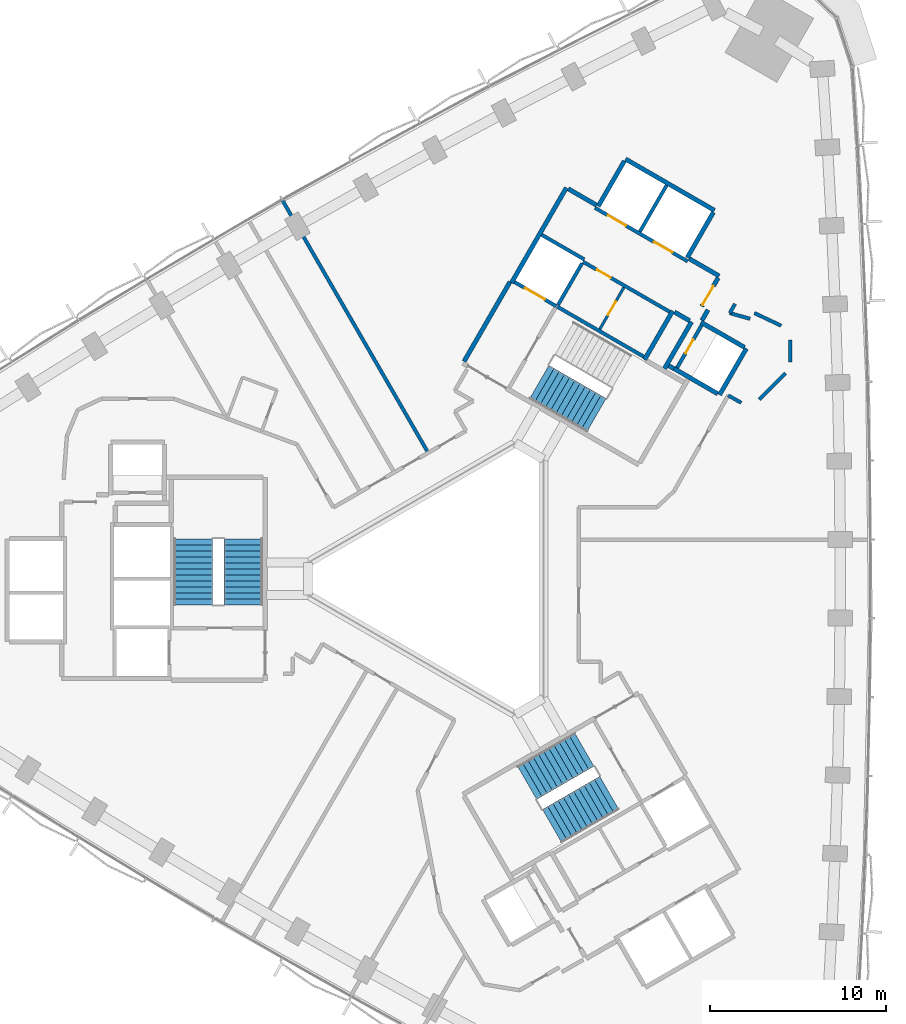
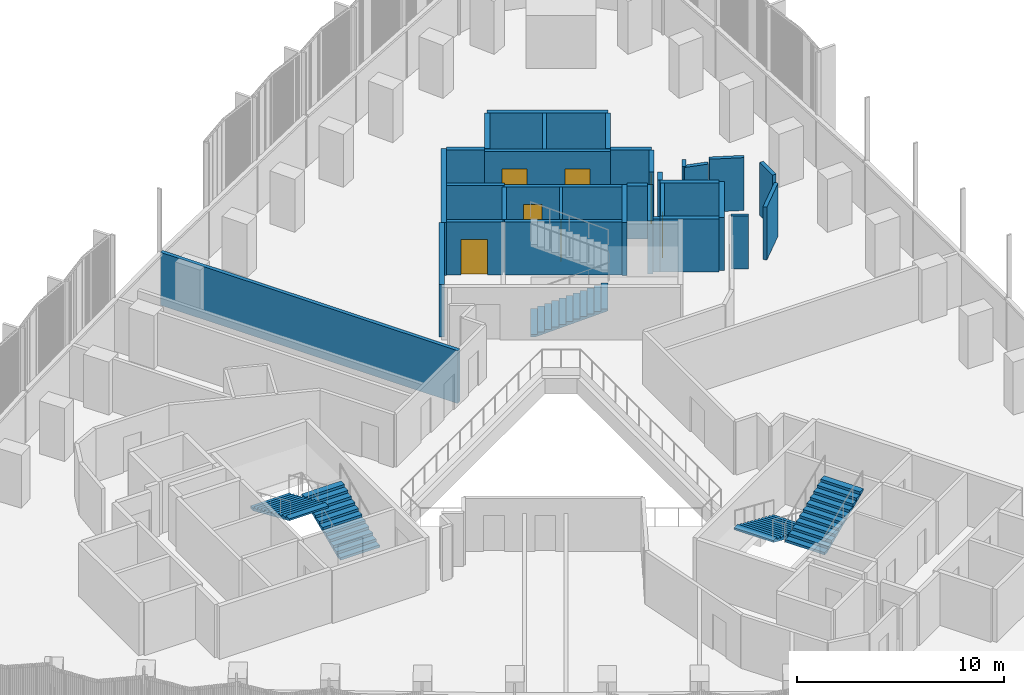
# One storey, part 10 of 15: 32 walls, 7 doors, 5 stair flights, 7 openings, 3 elements without a shape of their own.
"""IFC4 building model written with IfcOpenShell, lengths in metres."""

from ifc_helpers import new_model, si_unit, direction, frame, frame_2d, origin, place, context, subcontext, project, spatial, polyline, rectangle, outline, extrude, material, layer, layer_set, type_object, element, fill, aggregate, save


model = new_model("IFC4")

# Units and contexts
model_context = context("Model", 3, precision=1e-05, world=origin(), true_north=direction((0.0, 1.0)))
body_context = subcontext(model_context, "Body", "Model", "MODEL_VIEW")
ifc_project = project(units=[si_unit("LENGTHUNIT", "METRE"), si_unit("AREAUNIT", "SQUARE_METRE"), si_unit("VOLUMEUNIT", "CUBIC_METRE"), si_unit("PLANEANGLEUNIT", "RADIAN"), si_unit("MASSUNIT", "GRAM", prefix="KILO")], contexts=[model_context])

# Site, building, storey
site_placement = place(None, origin())
site = spatial("IfcSite", under=ifc_project, at=site_placement, CompositionType="ELEMENT")
building_placement = place(site_placement, origin())
building = spatial("IfcBuilding", under=site, at=building_placement, Name="Tamra Quay Hotel Tower", CompositionType="ELEMENT")
storey_placement = place(building_placement, frame((0.0, 0.0, 67.39990234375)))
storey = spatial("IfcBuildingStorey", under=building, at=storey_placement, Name="L15", CompositionType="ELEMENT", Elevation=67.39990234375)

# Wall, openings, doors
ifc_material_1 = material(Name="Concrete M70", Category="concrete")
ifc_layer_1 = layer(ifc_material_1, 0.199951171875)
ifc_layer_set_1 = layer_set([ifc_layer_1], Name="Concrete M70 core wall 200")
wall_type_1 = type_object("IfcWallType", Name="Concrete M70 core wall 200", PredefinedType="SHEAR", material=ifc_layer_set_1)
wall_1_placement = place(storey_placement, frame((13.209716796875, 18.07958984375, 0.0), z_axis=(0.0, 0.0, 1.0), x_axis=(-0.866030299012, 0.499991521122, 0.0)))
wall_1 = element("IfcWall", 1, at=wall_1_placement, inside=storey, type_object=wall_type_1, Name="CW2", PredefinedType="SHEAR", context=body_context, shape_type="SweptSolid", body=[
    extrude(rectangle(XDim=6.10009765625, YDim=0.199951171875, at=frame_2d((3.050048828125, 0.0))), origin(), (0.0, 0.0, 1.0), 3.125),
])
opening_1_placement = place(wall_1_placement, frame((1.0, 0.0, 0.0)))
opening_1 = element("IfcOpeningElement", 2, at=opening_1_placement, cuts=wall_1, Name="Opening LD", PredefinedType="OPENING", context=body_context, shape_type="SweptSolid", body=[
    extrude(rectangle(XDim=1.199951171875, YDim=2.10009765625, at=frame_2d((0.60009765625, 1.050048828125))), frame((0.0, 0.10986328125, 0.0), z_axis=(0.0, -1.0, 0.0), x_axis=(1.0, 0.0, 0.0)), (0.0, 0.0, 1.0), 0.219970703125),
])
opening_2_placement = place(wall_1_placement, frame((4.05029296875, 0.0, 0.0)))
opening_2 = element("IfcOpeningElement", 3, at=opening_2_placement, cuts=wall_1, Name="Opening LD", PredefinedType="OPENING", context=body_context, shape_type="SweptSolid", body=[
    extrude(rectangle(XDim=1.199951171875, YDim=2.10009765625, at=frame_2d((0.60009765625, 1.050048828125))), frame((0.0, 0.10986328125, 0.0), z_axis=(0.0, -1.0, 0.0), x_axis=(1.0, 0.0, 0.0)), (0.0, 0.0, 1.0), 0.219970703125),
])
ifc_material_2 = material(Name="Landing door LD 1200 double door sliding")
door_type_1 = type_object("IfcDoorType", Name="Landing door LD 1200 double door sliding", OperationType="DOUBLE_DOOR_SLIDING", PredefinedType="DOOR", material=ifc_material_2)
door_1_placement = place(opening_1_placement, origin())
door_1 = element("IfcDoor", 4, at=door_1_placement, inside=storey, type_object=door_type_1, Name="LD", OperationType="DOUBLE_DOOR_SLIDING", OverallHeight=2.10009765625, OverallWidth=1.199951171875, PredefinedType="DOOR", context=body_context, shape_type="SweptSolid", body=[
    extrude(rectangle(XDim=1.199951171875, YDim=2.10009765625, at=frame_2d((0.60009765625, 1.050048828125))), frame((0.0, 0.02490234375, 0.0), z_axis=(0.0, -1.0, 0.0), x_axis=(1.0, 0.0, 0.0)), (0.0, 0.0, 1.0), 0.050048828125),
])
fill(opening_1, door_1)
door_2_placement = place(opening_2_placement, origin())
door_2 = element("IfcDoor", 5, at=door_2_placement, inside=storey, type_object=door_type_1, Name="LD", OperationType="DOUBLE_DOOR_SLIDING", OverallHeight=2.10009765625, OverallWidth=1.199951171875, PredefinedType="DOOR", context=body_context, shape_type="SweptSolid", body=[
    extrude(rectangle(XDim=1.199951171875, YDim=2.10009765625, at=frame_2d((0.60009765625, 1.050048828125))), frame((0.0, 0.02490234375, 0.0), z_axis=(0.0, -1.0, 0.0), x_axis=(1.0, 0.0, 0.0)), (0.0, 0.0, 1.0), 0.050048828125),
])
fill(opening_2, door_2)

# Wall
wall_2_placement = place(storey_placement, frame((5.774658203125, 15.501953125, 0.0), z_axis=(0.0, 0.0, 1.0), x_axis=(0.866020080793, -0.500009219579, 0.0)))
element("IfcWall", 6, at=wall_2_placement, inside=storey, type_object=wall_type_1, Name="CW2", PredefinedType="SHEAR", context=body_context, shape_type="SweptSolid", body=[
    extrude(rectangle(XDim=5.69921875, YDim=0.199951171875, at=frame_2d((2.849609375, 0.0))), origin(), (0.0, 0.0, 1.0), 3.125),
])

# Wall, opening, door
wall_3_placement = place(storey_placement, frame((12.18505859375, 15.20703125, 0.0), z_axis=(0.0, 0.0, 1.0), x_axis=(-0.866020080793, 0.500009219579, 0.0)))
wall_3 = element("IfcWall", 7, at=wall_3_placement, inside=storey, type_object=wall_type_1, Name="CW2", PredefinedType="SHEAR", context=body_context, shape_type="SweptSolid", body=[
    extrude(rectangle(XDim=5.69921875, YDim=0.199951171875, at=frame_2d((2.849609375, 0.0))), origin(), (0.0, 0.0, 1.0), 3.125),
])
opening_3_placement = place(wall_3_placement, frame((3.8740234375, 0.0, 0.0)))
opening_3 = element("IfcOpeningElement", 8, at=opening_3_placement, cuts=wall_3, Name="Opening D2", PredefinedType="OPENING", context=body_context, shape_type="SweptSolid", body=[
    extrude(rectangle(XDim=0.89990234375, YDim=2.10009765625, at=frame_2d((0.449951171875, 1.050048828125))), frame((0.0, 0.10986328125, 0.0), z_axis=(0.0, -1.0, 0.0), x_axis=(1.0, 0.0, 0.0)), (0.0, 0.0, 1.0), 0.219970703125),
])
ifc_material_3 = material(Name="Core door D2 900x2100 RH")
door_type_2 = type_object("IfcDoorType", Name="Core door D2 900x2100 RH", OperationType="NOTDEFINED", PredefinedType="DOOR", material=ifc_material_3)
door_3_placement = place(opening_3_placement, origin())
door_3 = element("IfcDoor", 9, at=door_3_placement, inside=storey, type_object=door_type_2, Name="D2", OperationType="SINGLE_SWING_RIGHT", OverallHeight=2.10009765625, OverallWidth=0.89990234375, PredefinedType="DOOR", context=body_context, shape_type="SweptSolid", body=[
    extrude(rectangle(XDim=0.89990234375, YDim=2.10009765625, at=frame_2d((0.449951171875, 1.050048828125))), frame((0.0, 0.02490234375, 0.0), z_axis=(0.0, -1.0, 0.0), x_axis=(1.0, 0.0, 0.0)), (0.0, 0.0, 1.0), 0.050048828125),
])
fill(opening_3, door_3)

# Wall
wall_4_placement = place(storey_placement, frame((10.48876953125, 19.76708984375, 0.0), z_axis=(0.0, 0.0, 1.0), x_axis=(0.499946628782, 0.866056215479, 0.0)))
element("IfcWall", 10, at=wall_4_placement, inside=storey, type_object=wall_type_1, Name="CW2", PredefinedType="SHEAR", context=body_context, shape_type="SweptSolid", body=[
    extrude(rectangle(XDim=3.048095703125, YDim=0.199951171875, at=frame_2d((1.52392578125, 0.0))), origin(), (0.0, 0.0, 1.0), 3.125),
])

# Wall, opening, door
wall_5_placement = place(storey_placement, frame((14.0078125, 14.442138671875, 0.0), z_axis=(0.0, 0.0, 1.0), x_axis=(-0.499986818241, -0.866033014143, 0.0)))
wall_5 = element("IfcWall", 11, at=wall_5_placement, inside=storey, type_object=wall_type_1, Name="CW2", PredefinedType="SHEAR", context=body_context, shape_type="SweptSolid", body=[
    extrude(rectangle(XDim=2.7978515625, YDim=0.199951171875, at=frame_2d((1.39892578125, 0.0))), origin(), (0.0, 0.0, 1.0), 3.125),
])
opening_4_placement = place(wall_5_placement, frame((0.948974609375, 0.0, 0.0)))
opening_4 = element("IfcOpeningElement", 12, at=opening_4_placement, cuts=wall_5, Name="Opening D1", PredefinedType="OPENING", context=body_context, shape_type="SweptSolid", body=[
    extrude(rectangle(XDim=0.89990234375, YDim=2.10009765625, at=frame_2d((0.449951171875, 1.050048828125))), frame((0.0, 0.10986328125, 0.0), z_axis=(0.0, -1.0, 0.0), x_axis=(1.0, 0.0, 0.0)), (0.0, 0.0, 1.0), 0.219970703125),
])
ifc_material_4 = material(Name="Core door D1 900x2100 LH")
door_type_3 = type_object("IfcDoorType", Name="Core door D1 900x2100 LH", OperationType="NOTDEFINED", PredefinedType="DOOR", material=ifc_material_4)
door_4_placement = place(opening_4_placement, origin())
door_4 = element("IfcDoor", 13, at=door_4_placement, inside=storey, type_object=door_type_3, Name="D1", OperationType="SINGLE_SWING_LEFT", OverallHeight=2.10009765625, OverallWidth=0.89990234375, PredefinedType="DOOR", context=body_context, shape_type="SweptSolid", body=[
    extrude(rectangle(XDim=0.89990234375, YDim=2.10009765625, at=frame_2d((0.449951171875, 1.050048828125))), frame((0.0, 0.02490234375, 0.0), z_axis=(0.0, -1.0, 0.0), x_axis=(1.0, 0.0, 0.0)), (0.0, 0.0, 1.0), 0.050048828125),
])
fill(opening_4, door_4)

# Wall
wall_6_placement = place(storey_placement, frame((7.199462890625, 17.969970703125, 0.0), z_axis=(0.0, 0.0, 1.0), x_axis=(-0.499968400327, -0.866043647095, 0.0)))
element("IfcWall", 14, at=wall_6_placement, inside=storey, type_object=wall_type_1, Name="CW2", PredefinedType="SHEAR", context=body_context, shape_type="SweptSolid", body=[
    extrude(rectangle(XDim=2.749755859375, YDim=0.199951171875, at=frame_2d((1.375, 0.0))), origin(), (0.0, 0.0, 1.0), 3.125),
])

# Wall, opening, door
wall_7_placement = place(storey_placement, frame((5.72509765625, 15.530517578125, 0.0), z_axis=(0.0, 0.0, 1.0), x_axis=(-0.866037306777, 0.499979382845, 0.0)))
wall_7 = element("IfcWall", 15, at=wall_7_placement, inside=storey, type_object=wall_type_1, Name="CW2", PredefinedType="SHEAR", context=body_context, shape_type="SweptSolid", body=[
    extrude(rectangle(XDim=2.74169921875, YDim=0.199951171875, at=frame_2d((1.370849609375, 0.0))), origin(), (0.0, 0.0, 1.0), 3.125),
])
opening_5_placement = place(wall_7_placement, frame((0.742919921875, 0.0, 0.0)))
opening_5 = element("IfcOpeningElement", 16, at=opening_5_placement, cuts=wall_7, Name="Opening LD", PredefinedType="OPENING", context=body_context, shape_type="SweptSolid", body=[
    extrude(rectangle(XDim=1.300048828125, YDim=2.10009765625, at=frame_2d((0.64990234375, 1.050048828125))), frame((0.0, 0.10986328125, 0.0), z_axis=(0.0, -1.0, 0.0), x_axis=(1.0, 0.0, 0.0)), (0.0, 0.0, 1.0), 0.219970703125),
])
ifc_material_5 = material(Name="Landing door LD 1300 sliding to left")
door_type_4 = type_object("IfcDoorType", Name="Landing door LD 1300 sliding to left", OperationType="NOTDEFINED", PredefinedType="DOOR", material=ifc_material_5)
door_5_placement = place(opening_5_placement, origin())
door_5 = element("IfcDoor", 17, at=door_5_placement, inside=storey, type_object=door_type_4, Name="LD", OperationType="SLIDING_TO_LEFT", OverallHeight=2.10009765625, OverallWidth=1.300048828125, PredefinedType="DOOR", context=body_context, shape_type="SweptSolid", body=[
    extrude(rectangle(XDim=1.300048828125, YDim=2.10009765625, at=frame_2d((0.64990234375, 1.050048828125))), frame((0.0, 0.02490234375, 0.0), z_axis=(0.0, -1.0, 0.0), x_axis=(1.0, 0.0, 0.0)), (0.0, 0.0, 1.0), 0.050048828125),
])
fill(opening_5, door_5)

# Walls
wall_8_placement = place(storey_placement, frame((4.900634765625, 19.5859375, 0.0), z_axis=(0.0, 0.0, 1.0), x_axis=(0.866022890907, -0.500004352405, 0.0)))
element("IfcWall", 18, at=wall_8_placement, inside=storey, type_object=wall_type_1, Name="CW2", PredefinedType="SHEAR", context=body_context, shape_type="SweptSolid", body=[
    extrude(rectangle(XDim=2.798828125, YDim=0.199951171875, at=frame_2d((1.3994140625, 0.0))), origin(), (0.0, 0.0, 1.0), 3.125),
])
ifc_layer_2 = layer(ifc_material_1, 0.25)
ifc_layer_set_2 = layer_set([ifc_layer_2], Name="Concrete M70 core wall 250")
wall_type_2 = type_object("IfcWallType", Name="Concrete M70 core wall 250", PredefinedType="SHEAR", material=ifc_layer_set_2)
wall_9_placement = place(storey_placement, frame((3.178955078125, 16.856201171875, 0.0), z_axis=(0.0, 0.0, 1.0), x_axis=(0.500004234368, 0.866022959057, 0.0)))
element("IfcWall", 19, at=wall_9_placement, inside=storey, type_object=wall_type_2, Name="CW1", PredefinedType="SHEAR", context=body_context, shape_type="SweptSolid", body=[
    extrude(rectangle(XDim=6.25, YDim=0.25, at=frame_2d((3.125, 0.0))), origin(), (0.0, 0.0, 1.0), 3.125),
])
wall_10_placement = place(storey_placement, frame((9.672607421875, 23.9033203125, 0.0), z_axis=(0.0, 0.0, 1.0), x_axis=(0.86603616409, -0.499981362141, 0.0)))
element("IfcWall", 20, at=wall_10_placement, inside=storey, type_object=wall_type_2, Name="CW1", PredefinedType="SHEAR", context=body_context, shape_type="SweptSolid", body=[
    extrude(rectangle(XDim=5.849853515625, YDim=0.25, at=frame_2d((2.9248046875, 0.0))), origin(), (0.0, 0.0, 1.0), 3.125),
])
wall_11_placement = place(storey_placement, frame((0.47998046875, 12.38134765625, 0.0), z_axis=(0.0, 0.0, 1.0), x_axis=(0.49999885962, 0.866026062182, 0.0)))
element("IfcWall", 21, at=wall_11_placement, inside=storey, type_object=wall_type_2, Name="CW1", PredefinedType="SHEAR", context=body_context, shape_type="SweptSolid", body=[
    extrude(rectangle(XDim=5.224609375, YDim=0.25, at=frame_2d((2.6123046875, 0.0))), origin(), (0.0, 0.0, 1.0), 3.125),
])
wall_12_placement = place(storey_placement, frame((12.356689453125, 15.25244140625, 0.0), z_axis=(0.0, 0.0, 1.0), x_axis=(-0.500028443584, -0.866008981251, 0.0)))
element("IfcWall", 22, at=wall_12_placement, inside=storey, type_object=wall_type_2, Name="CW1", PredefinedType="SHEAR", context=body_context, shape_type="SweptSolid", body=[
    extrude(rectangle(XDim=3.199951171875, YDim=0.25, at=frame_2d((1.60009765625, 0.0))), origin(), (0.0, 0.0, 1.0), 3.125),
])
for number, where, z_axis, x_axis, name in (
    (23, (8.12255859375, 21.21875, 0.0), (0.0, 0.0, 1.0), (0.499987686533, 0.866032512851, 0.0), "CW1"),
    (24, (14.67626953125, 20.869873046875, 0.0), (0.0, 0.0, 1.0), (-0.499987686533, -0.866032512851, 0.0), "CW1"),
):
    element("IfcWall", number, at=place(storey_placement, frame(where, z_axis=z_axis, x_axis=x_axis)), inside=storey, type_object=wall_type_2, Name=name, PredefinedType="SHEAR", context=body_context, shape_type="SweptSolid", body=[
        extrude(rectangle(XDim=2.974609375, YDim=0.25, at=frame_2d((1.4873046875, 0.0))), origin(), (0.0, 0.0, 1.0), 3.125),
    ])
wall_13_placement = place(storey_placement, frame((16.552001953125, 13.118896484375, 0.0), z_axis=(0.0, 0.0, 1.0), x_axis=(-0.499978833458, -0.866037623948, 0.0)))
element("IfcWall", 25, at=wall_13_placement, inside=storey, type_object=wall_type_2, Name="CW1", PredefinedType="SHEAR", context=body_context, shape_type="SweptSolid", body=[
    extrude(rectangle(XDim=3.050048828125, YDim=0.25, at=frame_2d((1.52490234375, 0.0))), origin(), (0.0, 0.0, 1.0), 3.125),
])
wall_14_placement = place(storey_placement, frame((14.91845703125, 10.540283203125, 0.0), z_axis=(0.0, 0.0, 1.0), x_axis=(-0.866063538972, 0.499933942099, 0.0)))
element("IfcWall", 26, at=wall_14_placement, inside=storey, type_object=wall_type_2, Name="CW1", PredefinedType="SHEAR", context=body_context, shape_type="SweptSolid", body=[
    extrude(rectangle(XDim=2.86474609375, YDim=0.25, at=frame_2d((1.432373046875, 0.0))), origin(), (0.0, 0.0, 1.0), 3.125),
])
wall_15_placement = place(storey_placement, frame((13.962646484375, 14.61376953125, 0.0), z_axis=(0.0, 0.0, 1.0), x_axis=(0.866042235819, -0.499970844928, 0.0)))
element("IfcWall", 27, at=wall_15_placement, inside=storey, type_object=wall_type_2, Name="CW1", PredefinedType="SHEAR", context=body_context, shape_type="SweptSolid", body=[
    extrude(rectangle(XDim=2.864501953125, YDim=0.25, at=frame_2d((1.43212890625, 0.0))), origin(), (0.0, 0.0, 1.0), 3.125),
])
wall_16_placement = place(storey_placement, frame((11.887939453125, 11.960693359375, 0.0), z_axis=(0.0, 0.0, 1.0), x_axis=(0.500003324108, 0.866023484601, 0.0)))
element("IfcWall", 28, at=wall_16_placement, inside=storey, type_object=wall_type_2, Name="CW1", PredefinedType="SHEAR", context=body_context, shape_type="SweptSolid", body=[
    extrude(rectangle(XDim=3.0849609375, YDim=0.25, at=frame_2d((1.54248046875, 0.0))), origin(), (0.0, 0.0, 1.0), 3.125),
])
wall_17_placement = place(storey_placement, frame((13.29736328125, 18.23095703125, 0.0), z_axis=(0.0, 0.0, 1.0), x_axis=(0.866043531843, -0.499968599967, 0.0)))
element("IfcWall", 29, at=wall_17_placement, inside=storey, type_object=wall_type_2, Name="CW1", PredefinedType="SHEAR", context=body_context, shape_type="SweptSolid", body=[
    extrude(rectangle(XDim=1.974853515625, YDim=0.25, at=frame_2d((0.9873046875, 0.0))), origin(), (0.0, 0.0, 1.0), 3.125),
])
wall_18_placement = place(storey_placement, frame((6.41259765625, 22.2060546875, 0.0), z_axis=(0.0, 0.0, 1.0), x_axis=(0.866016279763, -0.500015802937, 0.0)))
element("IfcWall", 30, at=wall_18_placement, inside=storey, type_object=wall_type_2, Name="CW1", PredefinedType="SHEAR", context=body_context, shape_type="SweptSolid", body=[
    extrude(rectangle(XDim=1.84912109375, YDim=0.25, at=frame_2d((0.924560546875, 0.0))), origin(), (0.0, 0.0, 1.0), 3.125),
])

# Wall, opening, door
wall_19_placement = place(storey_placement, frame((14.94482421875, 17.13525390625, 0.0), z_axis=(0.0, 0.0, 1.0), x_axis=(-0.499983108224, -0.866035156036, 0.0)))
wall_19 = element("IfcWall", 31, at=wall_19_placement, inside=storey, type_object=wall_type_2, Name="CW1", PredefinedType="SHEAR", context=body_context, shape_type="SweptSolid", body=[
    extrude(rectangle(XDim=1.86474609375, YDim=0.25, at=frame_2d((0.932373046875, 0.0))), origin(), (0.0, 0.0, 1.0), 3.125),
])
opening_6_placement = place(wall_19_placement, frame((0.53466796875, 0.0, 0.0)))
opening_6 = element("IfcOpeningElement", 32, at=opening_6_placement, cuts=wall_19, Name="Opening FD3", PredefinedType="OPENING", context=body_context, shape_type="SweptSolid", body=[
    extrude(rectangle(XDim=1.25, YDim=2.10009765625, at=frame_2d((0.625, 1.050048828125))), frame((0.0, 0.135009765625, 0.0), z_axis=(0.0, -1.0, 0.0), x_axis=(1.0, 0.0, 0.0)), (0.0, 0.0, 1.0), 0.27001953125),
])
ifc_material_6 = material(Name="Core door FD3 1250x2100 LH")
door_type_5 = type_object("IfcDoorType", Name="Core door FD3 1250x2100 LH", OperationType="NOTDEFINED", PredefinedType="DOOR", material=ifc_material_6)
door_6_placement = place(opening_6_placement, origin())
door_6 = element("IfcDoor", 33, at=door_6_placement, inside=storey, type_object=door_type_5, Name="FD3", OperationType="SINGLE_SWING_LEFT", OverallHeight=2.10009765625, OverallWidth=1.25, PredefinedType="DOOR", context=body_context, shape_type="SweptSolid", body=[
    extrude(rectangle(XDim=1.25, YDim=2.10009765625, at=frame_2d((0.625, 1.050048828125))), frame((0.0, 0.02490234375, 0.0), z_axis=(0.0, -1.0, 0.0), x_axis=(1.0, 0.0, 0.0)), (0.0, 0.0, 1.0), 0.050048828125),
])
fill(opening_6, door_6)

# Walls
wall_20_placement = place(storey_placement, frame((13.322021484375, 14.695068359375, 0.0), z_axis=(0.0, 0.0, 1.0), x_axis=(-0.866017078145, 0.500014420154, 0.0)))
element("IfcWall", 34, at=wall_20_placement, inside=storey, type_object=wall_type_2, Name="CW1", PredefinedType="SHEAR", context=body_context, shape_type="SweptSolid", body=[
    extrude(rectangle(XDim=0.9892578125, YDim=0.25, at=frame_2d((0.49462890625, 0.0))), origin(), (0.0, 0.0, 1.0), 3.125),
])
wall_21_placement = place(storey_placement, frame((14.36767578125, 15.3154296875, 0.0), z_axis=(0.0, 0.0, 1.0), x_axis=(-0.499897359611, -0.866084655132, 0.0)))
element("IfcWall", 35, at=wall_21_placement, inside=storey, type_object=wall_type_2, Name="CW1", PredefinedType="SHEAR", context=body_context, shape_type="SweptSolid", body=[
    extrude(rectangle(XDim=0.684814453125, YDim=0.25, at=frame_2d((0.34228515625, 0.0))), origin(), (0.0, 0.0, 1.0), 3.125),
])
wall_22_placement = place(storey_placement, frame((12.4326171875, 11.9638671875, 0.0), z_axis=(0.0, 0.0, 1.0), x_axis=(-0.866055875208, 0.499947218231, 0.0)))
element("IfcWall", 36, at=wall_22_placement, inside=storey, type_object=wall_type_2, Name="CW1", PredefinedType="SHEAR", context=body_context, shape_type="SweptSolid", body=[
    extrude(rectangle(XDim=0.3447265625, YDim=0.25, at=frame_2d((0.17236328125, 0.0))), origin(), (0.0, 0.0, 1.0), 3.125),
])

# Wall, opening, door
ifc_material_7 = material(Name="Blockwork", Category="masonry")
ifc_layer_3 = layer(ifc_material_7, 0.14990234375)
ifc_layer_set_3 = layer_set([ifc_layer_3], Name="Core partition block 150")
wall_type_3 = type_object("IfcWallType", Name="Core partition block 150", PredefinedType="PARTITIONING", material=ifc_layer_set_3)
wall_23_placement = place(storey_placement, frame((8.20654296875, 14.214111328125, 0.0), z_axis=(0.0, 0.0, 1.0), x_axis=(0.499922376475, 0.866070215109, 0.0)))
wall_23 = element("IfcWall", 37, at=wall_23_placement, inside=storey, type_object=wall_type_3, Name="CP1", PredefinedType="PARTITIONING", context=body_context, shape_type="SweptSolid", body=[
    extrude(rectangle(XDim=2.74853515625, YDim=0.14990234375, at=frame_2d((1.374267578125, 0.0))), origin(), (0.0, 0.0, 1.0), 3.125),
])
opening_7_placement = place(wall_23_placement, frame((0.92431640625, 0.0, 0.0)))
opening_7 = element("IfcOpeningElement", 38, at=opening_7_placement, cuts=wall_23, Name="Opening D2", PredefinedType="OPENING", context=body_context, shape_type="SweptSolid", body=[
    extrude(rectangle(XDim=0.89990234375, YDim=2.10009765625, at=frame_2d((0.449951171875, 1.050048828125))), frame((0.0, 0.0849609375, 0.0), z_axis=(0.0, -1.0, 0.0), x_axis=(1.0, 0.0, 0.0)), (0.0, 0.0, 1.0), 0.169921875),
])
door_7_placement = place(opening_7_placement, origin())
door_7 = element("IfcDoor", 39, at=door_7_placement, inside=storey, type_object=door_type_2, Name="D2", OperationType="SINGLE_SWING_RIGHT", OverallHeight=2.10009765625, OverallWidth=0.89990234375, PredefinedType="DOOR", context=body_context, shape_type="SweptSolid", body=[
    extrude(rectangle(XDim=0.89990234375, YDim=2.10009765625, at=frame_2d((0.449951171875, 1.050048828125))), frame((0.0, 0.02490234375, 0.0), z_axis=(0.0, -1.0, 0.0), x_axis=(1.0, 0.0, 0.0)), (0.0, 0.0, 1.0), 0.050048828125),
])
fill(opening_7, door_7)

# Walls
ifc_material_8 = material(Name="Partition corridor wall")
ifc_layer_4 = layer(ifc_material_8, 0.199951171875)
ifc_layer_set_4 = layer_set([ifc_layer_4], Name="Partition corridor wall")
wall_type_4 = type_object("IfcWallType", Name="Partition corridor wall", PredefinedType="PARTITIONING", material=ifc_layer_set_4)
wall_24_placement = place(storey_placement, frame((15.51904296875, 10.444091796875, 0.0), z_axis=(0.0, 0.0, 1.0), x_axis=(0.870434949671, -0.492283453298, 0.0)))
element("IfcWall", 40, at=wall_24_placement, inside=storey, type_object=wall_type_4, Name="W-C", PredefinedType="PARTITIONING", context=body_context, shape_type="SweptSolid", body=[
    extrude(rectangle(XDim=0.853515625, YDim=0.199951171875, at=frame_2d((0.4267578125, 0.0))), origin(), (0.0, 0.0, 1.0), 3.125),
])
wall_25_placement = place(storey_placement, frame((15.60888671875, 15.135986328125, 0.0), z_axis=(0.0, 0.0, 1.0), x_axis=(0.499251952799, 0.866456858491, 0.0)))
element("IfcWall", 41, at=wall_25_placement, inside=storey, type_object=wall_type_4, Name="W-C", PredefinedType="PARTITIONING", context=body_context, shape_type="SweptSolid", body=[
    extrude(rectangle(XDim=0.59912109375, YDim=0.199951171875, at=frame_2d((0.299560546875, 0.0))), origin(), (0.0, 0.0, 1.0), 3.125),
])
wall_26_placement = place(storey_placement, frame((15.60888671875, 15.135986328125, 0.0), z_axis=(0.0, 0.0, 1.0), x_axis=(0.961662011825, -0.274237442763, 0.0)))
element("IfcWall", 42, at=wall_26_placement, inside=storey, type_object=wall_type_4, Name="W-C", PredefinedType="PARTITIONING", context=body_context, shape_type="SweptSolid", body=[
    extrude(rectangle(XDim=1.199951171875, YDim=0.199951171875, at=frame_2d((0.60009765625, 0.0))), origin(), (0.0, 0.0, 1.0), 3.125),
])
wall_27_placement = place(storey_placement, frame((17.009033203125, 15.134033203125, 0.0), z_axis=(0.0, 0.0, 1.0), x_axis=(0.904158632931, -0.427196870887, 0.0)))
element("IfcWall", 43, at=wall_27_placement, inside=storey, type_object=wall_type_4, Name="W-C", PredefinedType="PARTITIONING", context=body_context, shape_type="SweptSolid", body=[
    extrude(rectangle(XDim=1.687744140625, YDim=0.199951171875, at=frame_2d((0.84375, 0.0))), origin(), (0.0, 0.0, 1.0), 3.125),
])
wall_28_placement = place(storey_placement, frame((17.287109375, 10.212890625, 0.0), z_axis=(0.0, 0.0, 1.0), x_axis=(0.706819117262, 0.707394328132, 0.0)))
element("IfcWall", 44, at=wall_28_placement, inside=storey, type_object=wall_type_4, Name="W-C", PredefinedType="PARTITIONING", context=body_context, shape_type="SweptSolid", body=[
    extrude(rectangle(XDim=2.1220703125, YDim=0.199951171875, at=frame_2d((1.06103515625, 0.0))), origin(), (0.0, 0.0, 1.0), 3.125),
])
wall_29_placement = place(storey_placement, frame((19.050048828125, 12.34912109375, 0.0), z_axis=(0.0, 0.0, 1.0), x_axis=(0.0, 1.0, 0.0)))
element("IfcWall", 45, at=wall_29_placement, inside=storey, type_object=wall_type_4, Name="W-C", PredefinedType="PARTITIONING", context=body_context, shape_type="SweptSolid", body=[
    extrude(rectangle(XDim=1.25, YDim=0.199951171875, at=frame_2d((0.625, 0.0))), origin(), (0.0, 0.0, 1.0), 3.125),
])
ifc_material_9 = material(Name="Partition party wall")
ifc_layer_5 = layer(ifc_material_9, 0.199951171875)
ifc_layer_set_5 = layer_set([ifc_layer_5], Name="Partition party wall")
wall_type_5 = type_object("IfcWallType", Name="Partition party wall", PredefinedType="PARTITIONING", material=ifc_layer_set_5)
wall_30_placement = place(storey_placement, frame((-9.870849609375, 21.5673828125, 0.0), z_axis=(0.0, 0.0, 1.0), x_axis=(0.499933694707, -0.866063681779, 0.0)))
element("IfcWall", 46, at=wall_30_placement, inside=storey, type_object=wall_type_5, Name="W-P", PredefinedType="PARTITIONING", context=body_context, shape_type="SweptSolid", body=[
    extrude(rectangle(XDim=16.607666015625, YDim=0.199951171875, at=frame_2d((8.3037109375, 0.0))), origin(), (0.0, 0.0, 1.0), 3.125),
])

# Stair, stair flights
ifc_material_10 = material(Name="Exit stair 2200 24 risers 150.0 going 342")
stair_type = type_object("IfcStairType", Name="Exit stair 2200 24 risers 150.0 going 342", PredefinedType="HALF_TURN_STAIR", material=ifc_material_10)
stair_1_placement = place(storey_placement, origin())
stair_1 = element("IfcStair", 47, at=stair_1_placement, inside=storey, type_object=stair_type, Name="L15 Exit stair ST3", PredefinedType="HALF_TURN_STAIR")
ifc_material_11 = material(Name="Exit stair flight 2200 12 risers 150.0")
stair_flight_type = type_object("IfcStairFlightType", Name="Exit stair flight 2200 12 risers 150.0", PredefinedType="STRAIGHT", material=ifc_material_11)
stair_flight_1_placement = place(storey_placement, frame((-12.082275390625, -1.47998046875, 0.0), z_axis=(0.0, 0.0, 1.0), x_axis=(0.0, 1.0, 0.0)))
stair_flight_1 = element("IfcStairFlight", 48, at=stair_flight_1_placement, type_object=stair_flight_type, Name="ST3 flight 1", NumberOfRisers=12, NumberOfTreads=11, PredefinedType="STRAIGHT", RiserHeight=0.15, TreadLength=0.342, context=body_context, shape_type="SweptSolid", body=[
    extrude(outline(polyline([(0.0, 0.0), (0.0, 0.14990234375), (0.342041015625, 0.14990234375), (0.342041015625, 0.300048828125), (0.68408203125, 0.300048828125), (0.68408203125, 0.449951171875), (1.02587890625, 0.449951171875), (1.02587890625, 0.60009765625), (1.367919921875, 0.60009765625), (1.367919921875, 0.75), (1.7099609375, 0.75), (1.7099609375, 0.89990234375), (2.052001953125, 0.89990234375), (2.052001953125, 1.050048828125), (2.39404296875, 1.050048828125), (2.39404296875, 1.199951171875), (2.736083984375, 1.199951171875), (2.736083984375, 1.35009765625), (3.077880859375, 1.35009765625), (3.077880859375, 1.5), (3.419921875, 1.5), (3.419921875, 1.64990234375), (3.761962890625, 1.64990234375), (3.761962890625, 1.800048828125), (3.761962890625, 1.540771484375), (0.249267578125, 0.0), (0.0, 0.0)])), frame((0.0, 1.10009765625, 0.0), z_axis=(0.0, -1.0, 0.0), x_axis=(1.0, 0.0, 0.0)), (0.0, 0.0, 1.0), 2.199951171875),
])
stair_flight_2_placement = place(storey_placement, frame((-14.94140625, 2.281982421875, 1.800048828125), z_axis=(0.0, 0.0, 1.0), x_axis=(0.0, -1.0, 0.0)))
stair_flight_2 = element("IfcStairFlight", 49, at=stair_flight_2_placement, type_object=stair_flight_type, Name="ST3 flight 2", NumberOfRisers=12, NumberOfTreads=11, PredefinedType="STRAIGHT", RiserHeight=0.15, TreadLength=0.342, context=body_context, shape_type="SweptSolid", body=[
    extrude(outline(polyline([(0.0, 0.0), (0.0, 0.14990234375), (0.342041015625, 0.14990234375), (0.342041015625, 0.300048828125), (0.68408203125, 0.300048828125), (0.68408203125, 0.449951171875), (1.02587890625, 0.449951171875), (1.02587890625, 0.60009765625), (1.367919921875, 0.60009765625), (1.367919921875, 0.75), (1.7099609375, 0.75), (1.7099609375, 0.89990234375), (2.052001953125, 0.89990234375), (2.052001953125, 1.050048828125), (2.39404296875, 1.050048828125), (2.39404296875, 1.199951171875), (2.736083984375, 1.199951171875), (2.736083984375, 1.35009765625), (3.077880859375, 1.35009765625), (3.077880859375, 1.5), (3.419921875, 1.5), (3.419921875, 1.64990234375), (3.761962890625, 1.64990234375), (3.761962890625, 1.800048828125), (3.761962890625, 1.540771484375), (0.249267578125, 0.0), (0.0, 0.0)])), frame((0.0, 1.10009765625, 0.0), z_axis=(0.0, -1.0, 0.0), x_axis=(1.0, 0.0, 0.0)), (0.0, 0.0, 1.0), 2.199951171875),
])
aggregate(stair_1, [stair_flight_1, stair_flight_2])

# Stair, stair flight
stair_2_placement = place(storey_placement, origin())
stair_2 = element("IfcStair", 50, at=stair_2_placement, inside=storey, type_object=stair_type, Name="L15 Exit stair ST1", PredefinedType="HALF_TURN_STAIR")
stair_flight_3_placement = place(storey_placement, frame((4.75927734375, 11.20361328125, 0.0), z_axis=(0.0, 0.0, 1.0), x_axis=(0.866025403784, -0.5, 0.0)))
stair_flight_3 = element("IfcStairFlight", 51, at=stair_flight_3_placement, type_object=stair_flight_type, Name="ST1 flight 1", NumberOfRisers=12, NumberOfTreads=11, PredefinedType="STRAIGHT", RiserHeight=0.15, TreadLength=0.342, context=body_context, shape_type="SweptSolid", body=[
    extrude(outline(polyline([(0.0, 0.0), (0.0, 0.14990234375), (0.342041015625, 0.14990234375), (0.342041015625, 0.300048828125), (0.68408203125, 0.300048828125), (0.68408203125, 0.449951171875), (1.02587890625, 0.449951171875), (1.02587890625, 0.60009765625), (1.367919921875, 0.60009765625), (1.367919921875, 0.75), (1.7099609375, 0.75), (1.7099609375, 0.89990234375), (2.052001953125, 0.89990234375), (2.052001953125, 1.050048828125), (2.39404296875, 1.050048828125), (2.39404296875, 1.199951171875), (2.736083984375, 1.199951171875), (2.736083984375, 1.35009765625), (3.077880859375, 1.35009765625), (3.077880859375, 1.5), (3.419921875, 1.5), (3.419921875, 1.64990234375), (3.761962890625, 1.64990234375), (3.761962890625, 1.800048828125), (3.761962890625, 1.540771484375), (0.249267578125, 0.0), (0.0, 0.0)])), frame((0.0, 1.10009765625, 0.0), z_axis=(0.0, -1.0, 0.0), x_axis=(1.0, 0.0, 0.0)), (0.0, 0.0, 1.0), 2.199951171875),
])
aggregate(stair_2, [stair_flight_3])

# Stair, stair flights
stair_3_placement = place(storey_placement, origin())
stair_3 = element("IfcStair", 52, at=stair_3_placement, inside=storey, type_object=stair_type, Name="L15 Exit stair ST2", PredefinedType="HALF_TURN_STAIR")
stair_flight_4_placement = place(storey_placement, frame((7.322998046875, -9.7236328125, 0.0), z_axis=(0.0, 0.0, 1.0), x_axis=(-0.866025403784, -0.5, 0.0)))
stair_flight_4 = element("IfcStairFlight", 53, at=stair_flight_4_placement, type_object=stair_flight_type, Name="ST2 flight 1", NumberOfRisers=12, NumberOfTreads=11, PredefinedType="STRAIGHT", RiserHeight=0.15, TreadLength=0.342, context=body_context, shape_type="SweptSolid", body=[
    extrude(outline(polyline([(0.0, 0.0), (0.0, 0.14990234375), (0.342041015625, 0.14990234375), (0.342041015625, 0.300048828125), (0.68408203125, 0.300048828125), (0.68408203125, 0.449951171875), (1.02587890625, 0.449951171875), (1.02587890625, 0.60009765625), (1.367919921875, 0.60009765625), (1.367919921875, 0.75), (1.7099609375, 0.75), (1.7099609375, 0.89990234375), (2.052001953125, 0.89990234375), (2.052001953125, 1.050048828125), (2.39404296875, 1.050048828125), (2.39404296875, 1.199951171875), (2.736083984375, 1.199951171875), (2.736083984375, 1.35009765625), (3.077880859375, 1.35009765625), (3.077880859375, 1.5), (3.419921875, 1.5), (3.419921875, 1.64990234375), (3.761962890625, 1.64990234375), (3.761962890625, 1.800048828125), (3.761962890625, 1.540771484375), (0.249267578125, 0.0), (0.0, 0.0)])), frame((0.0, 1.10009765625, 0.0), z_axis=(0.0, -1.0, 0.0), x_axis=(1.0, 0.0, 0.0)), (0.0, 0.0, 1.0), 2.199951171875),
])
stair_flight_5_placement = place(storey_placement, frame((5.494384765625, -14.08056640625, 1.800048828125), z_axis=(0.0, 0.0, 1.0), x_axis=(0.866025403784, 0.5, 0.0)))
stair_flight_5 = element("IfcStairFlight", 54, at=stair_flight_5_placement, type_object=stair_flight_type, Name="ST2 flight 2", NumberOfRisers=12, NumberOfTreads=11, PredefinedType="STRAIGHT", RiserHeight=0.15, TreadLength=0.342, context=body_context, shape_type="SweptSolid", body=[
    extrude(outline(polyline([(0.0, 0.0), (0.0, 0.14990234375), (0.342041015625, 0.14990234375), (0.342041015625, 0.300048828125), (0.68408203125, 0.300048828125), (0.68408203125, 0.449951171875), (1.02587890625, 0.449951171875), (1.02587890625, 0.60009765625), (1.367919921875, 0.60009765625), (1.367919921875, 0.75), (1.7099609375, 0.75), (1.7099609375, 0.89990234375), (2.052001953125, 0.89990234375), (2.052001953125, 1.050048828125), (2.39404296875, 1.050048828125), (2.39404296875, 1.199951171875), (2.736083984375, 1.199951171875), (2.736083984375, 1.35009765625), (3.077880859375, 1.35009765625), (3.077880859375, 1.5), (3.419921875, 1.5), (3.419921875, 1.64990234375), (3.761962890625, 1.64990234375), (3.761962890625, 1.800048828125), (3.761962890625, 1.540771484375), (0.249267578125, 0.0), (0.0, 0.0)])), frame((0.0, 1.10009765625, 0.0), z_axis=(0.0, -1.0, 0.0), x_axis=(1.0, 0.0, 0.0)), (0.0, 0.0, 1.0), 2.199951171875),
])
aggregate(stair_3, [stair_flight_4, stair_flight_5])

save(model, "model.ifc")
